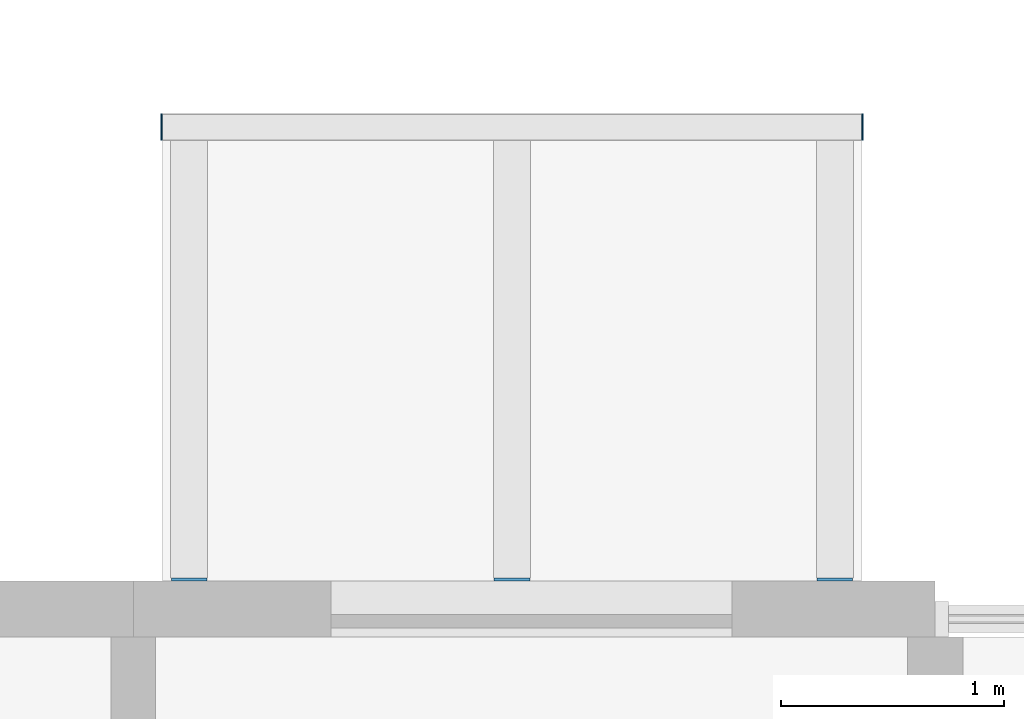
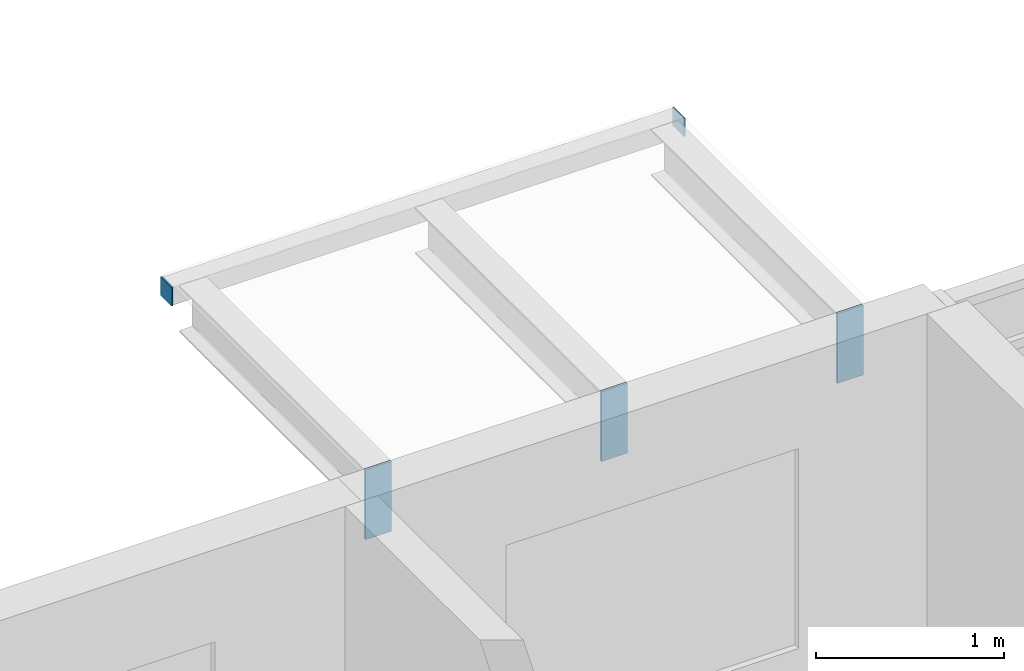
# One storey, part 42 of 55: 5 discrete accessories.
"""IFC4 building model written with IfcOpenShell, lengths in metres."""

from ifc_helpers import new_model, si_unit, direction, frame, origin, origin_2d, place, context, subcontext, project, spatial, rectangle, extrude, material, layer, layer_set, type_object, element, save


model = new_model("IFC4")

# Units and contexts
model_context = context("Model", 3, precision=1e-05, world=origin(), true_north=direction((0.0, 1.0)))
body_context = subcontext(model_context, "Body", "Model", "MODEL_VIEW")
ifc_project = project(units=[si_unit("LENGTHUNIT", "METRE"), si_unit("AREAUNIT", "SQUARE_METRE"), si_unit("VOLUMEUNIT", "CUBIC_METRE"), si_unit("PLANEANGLEUNIT", "RADIAN"), si_unit("MASSUNIT", "GRAM", prefix="KILO")], contexts=[model_context])

# Site, building, storey
site_placement = place(None, origin())
site = spatial("IfcSite", under=ifc_project, at=site_placement, CompositionType="ELEMENT")
building_placement = place(site_placement, origin())
building = spatial("IfcBuilding", under=site, at=building_placement, Name="Ridgestep Commons", CompositionType="ELEMENT")
storey_placement = place(building_placement, frame((0.0, 0.0, 36.0)))
storey = spatial("IfcBuildingStorey", under=building, at=storey_placement, Name="L12", CompositionType="ELEMENT", Elevation=36.0)

# Discrete accessories
ifc_material_1 = material(Name="Weathering steel S355J2W", Category="steel")
ifc_layer_1 = layer(ifc_material_1, 0.014892578125)
ifc_layer_set_1 = layer_set([ifc_layer_1], Name="Tray bracket plate 15")
discrete_accessory_type_1 = type_object("IfcDiscreteAccessoryType", Name="Tray bracket plate 15", PredefinedType="BRACKET", material=ifc_layer_set_1)
for number, where, z_axis, x_axis, name in (
    (1, (187.85009765625, 23.007568359375, 2.53662109375), (0.0, 0.0, 1.0), (1.0, 0.0, 0.0), "Tray bracket D3T3-13.1"),
    (2, (189.300048828125, 23.007568359375, 2.53662109375), (0.0, 0.0, 1.0), (1.0, 0.0, 0.0), "Tray bracket D3T3-13.2"),
    (3, (190.75, 23.007568359375, 2.53662109375), (0.0, 0.0, 1.0), (1.0, 0.0, 0.0), "Tray bracket D3T3-13.3"),
):
    element("IfcDiscreteAccessory", number, at=place(storey_placement, frame(where, z_axis=z_axis, x_axis=x_axis)), inside=storey, type_object=discrete_accessory_type_1, Name=name, PredefinedType="BRACKET", context=body_context, shape_type="SweptSolid", body=[
        extrude(rectangle(XDim=0.159912109375, YDim=0.014892578125, at=origin_2d()), origin(), (0.0, 0.0, 1.0), 0.453369140625),
    ])
ifc_material_2 = material(Name="Weathering steel S355J2W", Category="steel")
ifc_layer_2 = layer(ifc_material_2, 0.008056640625)
ifc_layer_set_2 = layer_set([ifc_layer_2], Name="Tray edge member end plate 120 x 120 x 8")
discrete_accessory_type_2 = type_object("IfcDiscreteAccessoryType", Name="Tray edge member end plate 120 x 120 x 8", PredefinedType="BRACKET", material=ifc_layer_set_2)
for number, where, z_axis, x_axis, name in (
    (4, (187.72607421875, 25.0400390625, 2.869873046875), (0.0, 0.0, 1.0), (1.0, 0.0, 0.0), "Tray edge member end plate D3T3-13 west"),
    (5, (190.8740234375, 25.0400390625, 2.869873046875), (0.0, 0.0, 1.0), (1.0, 0.0, 0.0), "Tray edge member end plate D3T3-13 east"),
):
    element("IfcDiscreteAccessory", number, at=place(storey_placement, frame(where, z_axis=z_axis, x_axis=x_axis)), inside=storey, type_object=discrete_accessory_type_2, Name=name, PredefinedType="BRACKET", context=body_context, shape_type="SweptSolid", body=[
        extrude(rectangle(XDim=0.008056640625, YDim=0.1201171875, at=origin_2d()), origin(), (0.0, 0.0, 1.0), 0.1201171875),
    ])

save(model, "model.ifc")
